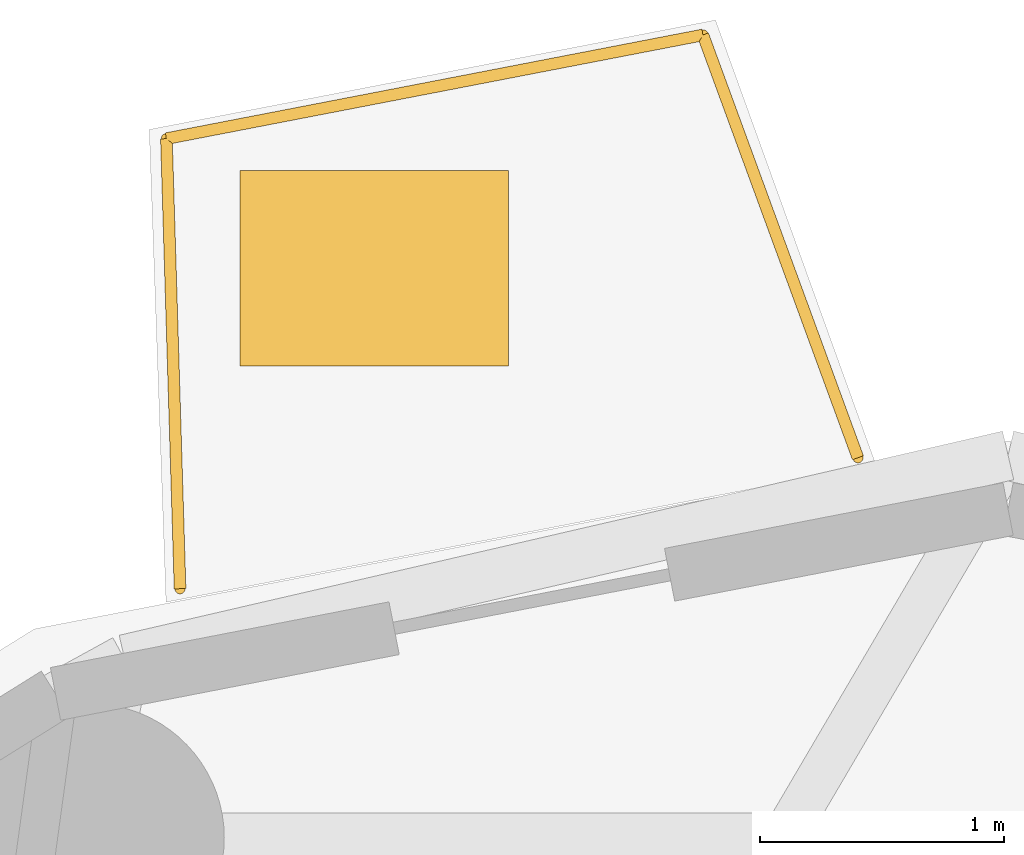
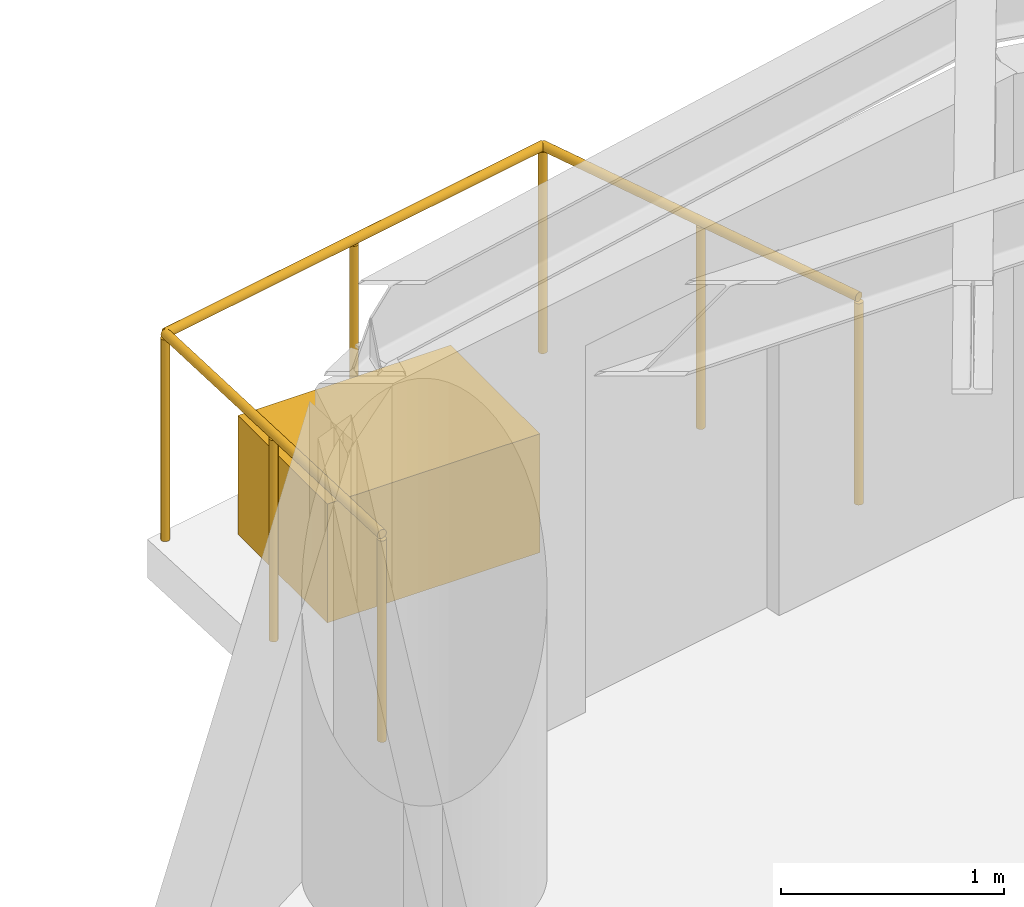
# One storey, part 16 of 16: 1 covering, 1 railing.
"""IFC4 building model written with IfcOpenShell, lengths in metres."""

from ifc_helpers import new_model, si_unit, direction, frame, origin, origin_2d, place, context, subcontext, project, spatial, rectangle, circle, extrude, source, transform, mapped, material, layer, layer_set, type_object, element, save


model = new_model("IFC4")

# Units and contexts
model_context = context("Model", 3, precision=1e-05, world=origin(), true_north=direction((0.0, 1.0)))
body_context = subcontext(model_context, "Body", "Model", "MODEL_VIEW")
ifc_project = project(units=[si_unit("LENGTHUNIT", "METRE"), si_unit("AREAUNIT", "SQUARE_METRE"), si_unit("VOLUMEUNIT", "CUBIC_METRE"), si_unit("PLANEANGLEUNIT", "RADIAN"), si_unit("MASSUNIT", "GRAM", prefix="KILO")], contexts=[model_context])

# Site, building, storey
site_placement = place(None, origin())
site = spatial("IfcSite", under=ifc_project, at=site_placement, CompositionType="ELEMENT")
building_placement = place(site_placement, origin())
building = spatial("IfcBuilding", under=site, at=building_placement, Name="Cununo Teusaquillo Station Towers", CompositionType="ELEMENT")
storey_placement = place(building_placement, frame((0.0, 0.0, 217.030029296875)))
storey = spatial("IfcBuildingStorey", under=building, at=storey_placement, Name="L69", CompositionType="ELEMENT", Elevation=217.030029296875)

# Railing
ifc_material_1 = material(Name="Anodised dark bronze aluminium EN AW-6063-T6", Category="aluminium")
railing_type = type_object("IfcRailingType", Name="RL-EXT-GUARD", PredefinedType="GUARDRAIL", material=ifc_material_1)
railing_placement = place(storey_placement, frame((13.107421875, 39.643798828125, 0.0)))
element("IfcRailing", 1, at=railing_placement, inside=storey, type_object=railing_type, Name="L69 Tower A Balcony Guardrail C05", PredefinedType="GUARDRAIL", context=body_context, shape_type="SweptSolid", body=[
    extrude(circle(Radius=0.02392578125, at=origin_2d()), frame((0.0, 0.0, 1.1259765625), z_axis=(-0.030305152758, 0.999540693377, 0.0), x_axis=(-0.999540693377, -0.030305152758, 0.0)), (0.0, 0.0, 1.0), 1.8447265625),
    extrude(circle(Radius=0.02392578125, at=origin_2d()), frame((-0.055908203125, 1.843994140625, 1.1259765625), z_axis=(0.981834932982, 0.18973709278, 0.0), x_axis=(-0.18973709278, 0.981834932982, 0.0)), (0.0, 0.0, 1.0), 2.239013671875),
    extrude(circle(Radius=0.02392578125, at=origin_2d()), frame((2.142333984375, 2.268798828125, 1.1259765625), z_axis=(0.344196323776, -0.938897699805, 0.0), x_axis=(0.938897699805, 0.344196323776, 0.0)), (0.0, 0.0, 1.0), 1.844970703125),
    extrude(circle(Radius=0.02099609375, at=origin_2d()), origin(), (0.0, 0.0, 1.0), 1.101806640625),
    extrude(circle(Radius=0.02099609375, at=origin_2d()), frame((-0.02783203125, 0.921875, 0.0)), (0.0, 0.0, 1.0), 1.101806640625),
    extrude(circle(Radius=0.02099609375, at=origin_2d()), frame((-0.055908203125, 1.843994140625, 0.0)), (0.0, 0.0, 1.0), 1.101806640625),
    extrude(circle(Radius=0.02099609375, at=origin_2d()), frame((1.043212890625, 2.056396484375, 0.0)), (0.0, 0.0, 1.0), 1.101806640625),
    extrude(circle(Radius=0.02099609375, at=origin_2d()), frame((2.142333984375, 2.268798828125, 0.0)), (0.0, 0.0, 1.0), 1.101806640625),
    extrude(circle(Radius=0.02099609375, at=origin_2d()), frame((2.4599609375, 1.40283203125, 0.0)), (0.0, 0.0, 1.0), 1.101806640625),
    extrude(circle(Radius=0.02099609375, at=origin_2d()), frame((2.77734375, 0.53662109375, 0.0)), (0.0, 0.0, 1.0), 1.101806640625),
])

# Covering
ifc_material_2 = material(Name="Architectural GRC planter shell and engineered root-zone substrate", Category="concrete")
ifc_layer = layer(ifc_material_2, 0.64990234375)
ifc_layer_set = layer_set([ifc_layer], Name="Architectural GRC planter shell and engineered root-zone substrate")
covering_type = type_object("IfcCoveringType", Name="COV-TREE-PLANTER", PredefinedType="CLADDING", material=ifc_layer_set)
shared_shape = source(origin(), body_context, "Body", "SweptSolid", [
    extrude(rectangle(XDim=1.10009765625, YDim=0.800048828125, at=origin_2d()), origin(), (0.0, 0.0, 1.0), 0.64990234375),
])
covering_placement = place(storey_placement, frame((13.902099609375, 40.95654296875, 0.0), z_axis=(0.0, 0.0, 1.0), x_axis=(1.0, 0.0, 0.0)))
element("IfcCovering", 2, at=covering_placement, inside=storey, type_object=covering_type, Name="L69 Tower A Balcony Tree PLANTER C05", PredefinedType="CLADDING", context=body_context, shape_type="MappedRepresentation", body=[
    mapped(shared_shape, transform((0.0, 0.0, 0.0), x_axis=(1.0, 0.0, 0.0), y_axis=(0.0, 1.0, 0.0), z_axis=(0.0, 0.0, 1.0), scale=1.0)),
])

save(model, "model.ifc")
